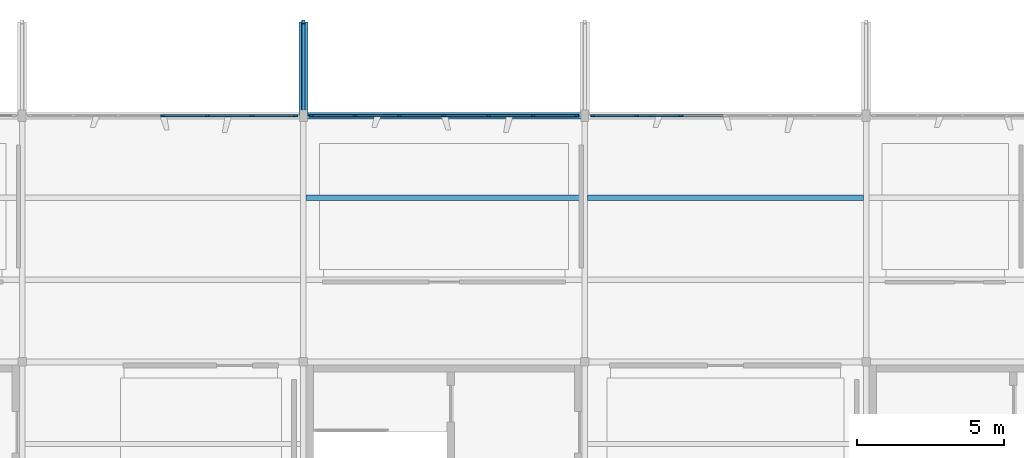
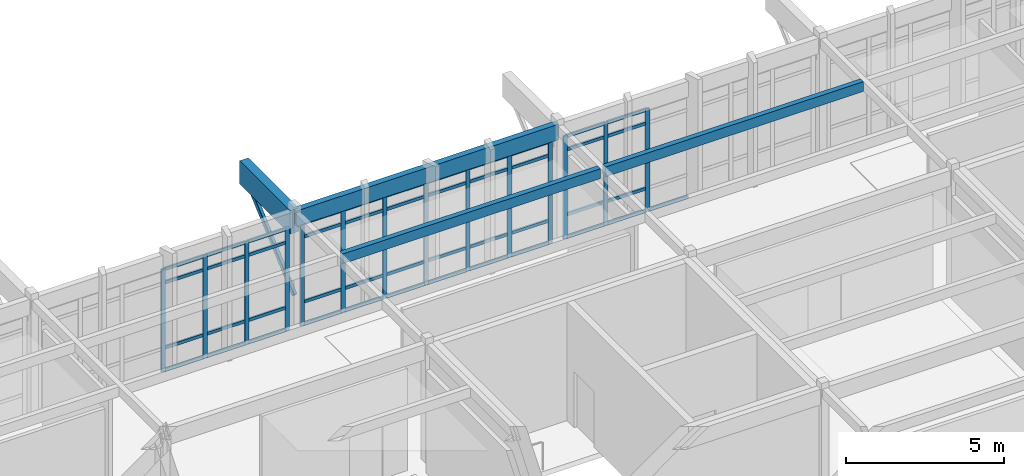
# One storey, part 9 of 19: 60 members, 4 beams, 3 elements without a shape of their own.
"""IFC4 building model written with IfcOpenShell, lengths in metres."""

from ifc_helpers import new_model, si_unit, direction, frame, origin, origin_2d, place, context, subcontext, project, spatial, rectangle, hollow_rectangle, extrude, material, layer, layer_set, material_profile, profile_set, type_object, element, aggregate, save


model = new_model("IFC4")

# Units and contexts
model_context = context("Model", 3, precision=1e-05, world=origin(), true_north=direction((0.0, 1.0)))
body_context = subcontext(model_context, "Body", "Model", "MODEL_VIEW")
ifc_project = project(units=[si_unit("LENGTHUNIT", "METRE"), si_unit("AREAUNIT", "SQUARE_METRE"), si_unit("VOLUMEUNIT", "CUBIC_METRE"), si_unit("PLANEANGLEUNIT", "RADIAN"), si_unit("MASSUNIT", "GRAM", prefix="KILO")], contexts=[model_context])

# Site, building, storey
site_placement = place(None, origin())
site = spatial("IfcSite", under=ifc_project, at=site_placement, CompositionType="ELEMENT")
building_placement = place(site_placement, origin())
building = spatial("IfcBuilding", under=site, at=building_placement, Name="Kolvemor Railside Polytechnic", CompositionType="ELEMENT")
storey_placement = place(building_placement, frame((0.0, 0.0, 27.0)))
storey = spatial("IfcBuildingStorey", under=building, at=storey_placement, Name="L06", CompositionType="ELEMENT", Elevation=27.0)

# Beams
ifc_material_1 = material(Name="Glulam GL28h", Category="wood")
ifc_material_profile_1 = material_profile(ifc_material_1, rectangle(XDim=0.31494140625, YDim=0.89990234375, at=origin_2d()), Name="GL315x900")
ifc_profile_set_1 = profile_set([ifc_material_profile_1], Name="Glulam GL28h")
beam_type_1 = type_object("IfcBeamType", Name="BM-GL-CANT", PredefinedType="BEAM", material=ifc_profile_set_1)
beam_1_placement = place(storey_placement, frame((86.39990234375, 38.39990234375, 4.114990234375), z_axis=(0.0, 1.0, 0.0), x_axis=(-1.0, 0.0, 0.0)))
element("IfcBeam", 1, at=beam_1_placement, inside=storey, type_object=beam_type_1, Name="Cantilever Outrigger RF-GYC 1779", PredefinedType="BEAM", context=body_context, shape_type="SweptSolid", body=[
    extrude(rectangle(XDim=0.31494140625, YDim=0.89990234375, at=origin_2d()), origin(), (0.0, 0.0, 1.0), 3.2001953125),
])
ifc_material_2 = material(Name="Glulam GL28h", Category="wood")
ifc_material_profile_2 = material_profile(ifc_material_2, rectangle(XDim=0.215087890625, YDim=0.60009765625, at=origin_2d()), Name="GL215x600")
ifc_profile_set_2 = profile_set([ifc_material_profile_2], Name="Glulam GL28h")
beam_type_2 = type_object("IfcBeamType", Name="BM-GL-EAVE", PredefinedType="BEAM", material=ifc_profile_set_2)
beam_2_placement = place(storey_placement, frame((86.39990234375, 38.39990234375, 4.264892578125), z_axis=(1.0, 0.0, 0.0), x_axis=(0.0, 1.0, 0.0)))
element("IfcBeam", 2, at=beam_2_placement, inside=storey, type_object=beam_type_2, Name="Primary Girder RF-GX 1757", PredefinedType="BEAM", context=body_context, shape_type="SweptSolid", body=[
    extrude(rectangle(XDim=0.215087890625, YDim=0.60009765625, at=origin_2d()), origin(), (0.0, 0.0, 1.0), 9.60009765625),
])
ifc_material_3 = material(Name="Glulam GL28h", Category="wood")
ifc_material_profile_3 = material_profile(ifc_material_3, rectangle(XDim=0.18505859375, YDim=0.3798828125, at=origin_2d()), Name="GL185x380")
ifc_profile_set_3 = profile_set([ifc_material_profile_3], Name="Glulam GL28h")
beam_type_3 = type_object("IfcBeamType", Name="BM-GL-JST6", PredefinedType="JOIST", material=ifc_profile_set_3)
for number, where, z_axis, x_axis, name in (
    (3, (86.491943359375, 35.60009765625, 4.375), (1.0, 0.0, 0.0), (0.0, 1.0, 0.0), "Floor Joist RF-J1815"),
    (4, (96.092041015625, 35.60009765625, 4.375), (1.0, 0.0, 0.0), (0.0, 1.0, 0.0), "Floor Joist RF-J1821"),
):
    element("IfcBeam", number, at=place(storey_placement, frame(where, z_axis=z_axis, x_axis=x_axis)), inside=storey, type_object=beam_type_3, Name=name, PredefinedType="JOIST", context=body_context, shape_type="SweptSolid", body=[
        extrude(rectangle(XDim=0.18505859375, YDim=0.3798828125, at=origin_2d()), origin(), (0.0, 0.0, 1.0), 9.416015625),
    ])

# Curtain wall, members
ifc_material_4 = material(Name="Anodised marine aluminium and laminated low-E glass", Category="aluminium")
ifc_layer = layer(ifc_material_4, 0.179931640625, Name="CW-STICK-LIB")
ifc_layer_set = layer_set([ifc_layer], Name="Anodised marine aluminium and laminated low-E glass")
curtain_wall_type = type_object("IfcCurtainWallType", Name="CW-STICK-LIB", PredefinedType="USERDEFINED", material=ifc_layer_set)
curtain_wall_1_placement = place(storey_placement, origin())
curtain_wall_1 = element("IfcCurtainWall", 5, at=curtain_wall_1_placement, inside=storey, type_object=curtain_wall_type, Name="Curtain Wall L06-143", ObjectType="STICK GLAZED SCREEN", PredefinedType="USERDEFINED")
ifc_material_5 = material(Name="Anodised marine aluminium 6063-T6", Category="aluminium")
ifc_material_profile_4 = material_profile(ifc_material_5, rectangle(XDim=0.06494140625, YDim=0.14990234375, at=origin_2d()), Name="CW-MUL-65x150")
ifc_profile_set_4 = profile_set([ifc_material_profile_4], Name="Anodised marine aluminium 6063-T6")
member_type_1 = type_object("IfcMemberType", Name="CWM-65x150", PredefinedType="MULLION", material=ifc_profile_set_4)
member_1_placement = place(storey_placement, frame((86.12744140625, 38.39990234375, 0.0), z_axis=(0.0, 0.0, 1.0), x_axis=(0.0, -1.0, 0.0)))
member_1 = element("IfcMember", 6, at=member_1_placement, type_object=member_type_1, Name="CW-LIB mullion 1", PredefinedType="MULLION", context=body_context, shape_type="SweptSolid", body=[
    extrude(rectangle(XDim=0.06494140625, YDim=0.14990234375, at=origin_2d()), origin(), (0.0, 0.0, 1.0), 3.965087890625),
])
member_2_placement = place(storey_placement, frame((84.639892578125, 38.39990234375, 0.0), z_axis=(0.0, 0.0, 1.0), x_axis=(0.0, -1.0, 0.0)))
member_2 = element("IfcMember", 7, at=member_2_placement, type_object=member_type_1, Name="CW-LIB mullion 2", PredefinedType="MULLION", context=body_context, shape_type="SweptSolid", body=[
    extrude(rectangle(XDim=0.06494140625, YDim=0.14990234375, at=origin_2d()), origin(), (0.0, 0.0, 1.0), 3.965087890625),
])
member_3_placement = place(storey_placement, frame((83.1201171875, 38.39990234375, 0.0), z_axis=(0.0, 0.0, 1.0), x_axis=(0.0, -1.0, 0.0)))
member_3 = element("IfcMember", 8, at=member_3_placement, type_object=member_type_1, Name="CW-LIB mullion 3", PredefinedType="MULLION", context=body_context, shape_type="SweptSolid", body=[
    extrude(rectangle(XDim=0.06494140625, YDim=0.14990234375, at=origin_2d()), origin(), (0.0, 0.0, 1.0), 3.965087890625),
])
member_4_placement = place(storey_placement, frame((81.60009765625, 38.39990234375, 0.0), z_axis=(0.0, 0.0, 1.0), x_axis=(0.0, -1.0, 0.0)))
member_4 = element("IfcMember", 9, at=member_4_placement, type_object=member_type_1, Name="CW-LIB mullion 4", PredefinedType="MULLION", context=body_context, shape_type="SweptSolid", body=[
    extrude(rectangle(XDim=0.06494140625, YDim=0.14990234375, at=origin_2d()), origin(), (0.0, 0.0, 1.0), 3.965087890625),
])

curtain_wall_2_placement = place(storey_placement, origin())
curtain_wall_2 = element("IfcCurtainWall", 10, at=curtain_wall_2_placement, inside=storey, type_object=curtain_wall_type, Name="Curtain Wall L06-145", ObjectType="STICK GLAZED SCREEN", PredefinedType="USERDEFINED")
member_5_placement = place(storey_placement, frame((95.7275390625, 38.39990234375, 0.0), z_axis=(0.0, 0.0, 1.0), x_axis=(0.0, -1.0, 0.0)))
member_5 = element("IfcMember", 11, at=member_5_placement, type_object=member_type_1, Name="CW-LIB mullion 1", PredefinedType="MULLION", context=body_context, shape_type="SweptSolid", body=[
    extrude(rectangle(XDim=0.06494140625, YDim=0.14990234375, at=origin_2d()), origin(), (0.0, 0.0, 1.0), 3.965087890625),
])
member_6_placement = place(storey_placement, frame((94.239990234375, 38.39990234375, 0.0), z_axis=(0.0, 0.0, 1.0), x_axis=(0.0, -1.0, 0.0)))
member_6 = element("IfcMember", 12, at=member_6_placement, type_object=member_type_1, Name="CW-LIB mullion 2", PredefinedType="MULLION", context=body_context, shape_type="SweptSolid", body=[
    extrude(rectangle(XDim=0.06494140625, YDim=0.14990234375, at=origin_2d()), origin(), (0.0, 0.0, 1.0), 3.965087890625),
])
member_7_placement = place(storey_placement, frame((92.719970703125, 38.39990234375, 0.0), z_axis=(0.0, 0.0, 1.0), x_axis=(0.0, -1.0, 0.0)))
member_7 = element("IfcMember", 13, at=member_7_placement, type_object=member_type_1, Name="CW-LIB mullion 3", PredefinedType="MULLION", context=body_context, shape_type="SweptSolid", body=[
    extrude(rectangle(XDim=0.06494140625, YDim=0.14990234375, at=origin_2d()), origin(), (0.0, 0.0, 1.0), 3.965087890625),
])
member_8_placement = place(storey_placement, frame((91.199951171875, 38.39990234375, 0.0), z_axis=(0.0, 0.0, 1.0), x_axis=(0.0, -1.0, 0.0)))
member_8 = element("IfcMember", 14, at=member_8_placement, type_object=member_type_1, Name="CW-LIB mullion 4", PredefinedType="MULLION", context=body_context, shape_type="SweptSolid", body=[
    extrude(rectangle(XDim=0.06494140625, YDim=0.14990234375, at=origin_2d()), origin(), (0.0, 0.0, 1.0), 3.965087890625),
])
member_9_placement = place(storey_placement, frame((89.679931640625, 38.39990234375, 0.0), z_axis=(0.0, 0.0, 1.0), x_axis=(0.0, -1.0, 0.0)))
member_9 = element("IfcMember", 15, at=member_9_placement, type_object=member_type_1, Name="CW-LIB mullion 5", PredefinedType="MULLION", context=body_context, shape_type="SweptSolid", body=[
    extrude(rectangle(XDim=0.06494140625, YDim=0.14990234375, at=origin_2d()), origin(), (0.0, 0.0, 1.0), 3.965087890625),
])
member_10_placement = place(storey_placement, frame((88.159912109375, 38.39990234375, 0.0), z_axis=(0.0, 0.0, 1.0), x_axis=(0.0, -1.0, 0.0)))
member_10 = element("IfcMember", 16, at=member_10_placement, type_object=member_type_1, Name="CW-LIB mullion 6", PredefinedType="MULLION", context=body_context, shape_type="SweptSolid", body=[
    extrude(rectangle(XDim=0.06494140625, YDim=0.14990234375, at=origin_2d()), origin(), (0.0, 0.0, 1.0), 3.965087890625),
])
member_11_placement = place(storey_placement, frame((86.672607421875, 38.39990234375, 0.0), z_axis=(0.0, 0.0, 1.0), x_axis=(0.0, -1.0, 0.0)))
member_11 = element("IfcMember", 17, at=member_11_placement, type_object=member_type_1, Name="CW-LIB mullion 7", PredefinedType="MULLION", context=body_context, shape_type="SweptSolid", body=[
    extrude(rectangle(XDim=0.06494140625, YDim=0.14990234375, at=origin_2d()), origin(), (0.0, 0.0, 1.0), 3.965087890625),
])

curtain_wall_3_placement = place(storey_placement, origin())
curtain_wall_3 = element("IfcCurtainWall", 18, at=curtain_wall_3_placement, inside=storey, type_object=curtain_wall_type, Name="Curtain Wall L06-146", ObjectType="STICK GLAZED SCREEN", PredefinedType="USERDEFINED")
member_12_placement = place(storey_placement, frame((99.280029296875, 38.39990234375, 0.0), z_axis=(0.0, 0.0, 1.0), x_axis=(0.0, -1.0, 0.0)))
member_12 = element("IfcMember", 19, at=member_12_placement, type_object=member_type_1, Name="CW-LIB mullion 5", PredefinedType="MULLION", context=body_context, shape_type="SweptSolid", body=[
    extrude(rectangle(XDim=0.06494140625, YDim=0.14990234375, at=origin_2d()), origin(), (0.0, 0.0, 1.0), 3.965087890625),
])
member_13_placement = place(storey_placement, frame((97.760009765625, 38.39990234375, 0.0), z_axis=(0.0, 0.0, 1.0), x_axis=(0.0, -1.0, 0.0)))
member_13 = element("IfcMember", 20, at=member_13_placement, type_object=member_type_1, Name="CW-LIB mullion 6", PredefinedType="MULLION", context=body_context, shape_type="SweptSolid", body=[
    extrude(rectangle(XDim=0.06494140625, YDim=0.14990234375, at=origin_2d()), origin(), (0.0, 0.0, 1.0), 3.965087890625),
])
member_14_placement = place(storey_placement, frame((96.2724609375, 38.39990234375, 0.0), z_axis=(0.0, 0.0, 1.0), x_axis=(0.0, -1.0, 0.0)))
member_14 = element("IfcMember", 21, at=member_14_placement, type_object=member_type_1, Name="CW-LIB mullion 7", PredefinedType="MULLION", context=body_context, shape_type="SweptSolid", body=[
    extrude(rectangle(XDim=0.06494140625, YDim=0.14990234375, at=origin_2d()), origin(), (0.0, 0.0, 1.0), 3.965087890625),
])

# Member
ifc_material_6 = material(Name="Anodised marine aluminium 6063-T6", Category="aluminium")
ifc_material_profile_5 = material_profile(ifc_material_6, rectangle(XDim=0.06494140625, YDim=0.1201171875, at=origin_2d()), Name="CW-TRN-65x120")
ifc_profile_set_5 = profile_set([ifc_material_profile_5], Name="Anodised marine aluminium 6063-T6")
member_type_2 = type_object("IfcMemberType", Name="CWT-65x120", PredefinedType="USERDEFINED", material=ifc_profile_set_5)
member_15_placement = place(storey_placement, frame((86.094970703125, 38.39990234375, 0.032470703125), z_axis=(-1.0, 0.0, 0.0), x_axis=(0.0, -1.0, 0.0)))
member_15 = element("IfcMember", 22, at=member_15_placement, type_object=member_type_2, Name="CW-LIB transom 1.1", ObjectType="TRANSOM", PredefinedType="USERDEFINED", context=body_context, shape_type="SweptSolid", body=[
    extrude(rectangle(XDim=0.06494140625, YDim=0.1201171875, at=origin_2d()), origin(), (0.0, 0.0, 1.0), 1.42236328125),
])

member_16_placement = place(storey_placement, frame((86.094970703125, 38.39990234375, 0.89990234375), z_axis=(-1.0, 0.0, 0.0), x_axis=(0.0, -1.0, 0.0)))
member_16 = element("IfcMember", 23, at=member_16_placement, type_object=member_type_2, Name="CW-LIB transom 1.2", ObjectType="TRANSOM", PredefinedType="USERDEFINED", context=body_context, shape_type="SweptSolid", body=[
    extrude(rectangle(XDim=0.06494140625, YDim=0.1201171875, at=origin_2d()), origin(), (0.0, 0.0, 1.0), 1.42236328125),
])

member_17_placement = place(storey_placement, frame((86.094970703125, 38.39990234375, 3.4150390625), z_axis=(-1.0, 0.0, 0.0), x_axis=(0.0, -1.0, 0.0)))
member_17 = element("IfcMember", 24, at=member_17_placement, type_object=member_type_2, Name="CW-LIB transom 1.3", ObjectType="TRANSOM", PredefinedType="USERDEFINED", context=body_context, shape_type="SweptSolid", body=[
    extrude(rectangle(XDim=0.06494140625, YDim=0.1201171875, at=origin_2d()), origin(), (0.0, 0.0, 1.0), 1.42236328125),
])

member_18_placement = place(storey_placement, frame((86.094970703125, 38.39990234375, 3.9326171875), z_axis=(-1.0, 0.0, 0.0), x_axis=(0.0, -1.0, 0.0)))
member_18 = element("IfcMember", 25, at=member_18_placement, type_object=member_type_2, Name="CW-LIB transom 1.4", ObjectType="TRANSOM", PredefinedType="USERDEFINED", context=body_context, shape_type="SweptSolid", body=[
    extrude(rectangle(XDim=0.06494140625, YDim=0.1201171875, at=origin_2d()), origin(), (0.0, 0.0, 1.0), 1.42236328125),
])

member_19_placement = place(storey_placement, frame((84.607421875, 38.39990234375, 0.032470703125), z_axis=(-1.0, 0.0, 0.0), x_axis=(0.0, -1.0, 0.0)))
member_19 = element("IfcMember", 26, at=member_19_placement, type_object=member_type_2, Name="CW-LIB transom 2.1", ObjectType="TRANSOM", PredefinedType="USERDEFINED", context=body_context, shape_type="SweptSolid", body=[
    extrude(rectangle(XDim=0.06494140625, YDim=0.1201171875, at=origin_2d()), origin(), (0.0, 0.0, 1.0), 1.454833984375),
])

member_20_placement = place(storey_placement, frame((84.607421875, 38.39990234375, 0.89990234375), z_axis=(-1.0, 0.0, 0.0), x_axis=(0.0, -1.0, 0.0)))
member_20 = element("IfcMember", 27, at=member_20_placement, type_object=member_type_2, Name="CW-LIB transom 2.2", ObjectType="TRANSOM", PredefinedType="USERDEFINED", context=body_context, shape_type="SweptSolid", body=[
    extrude(rectangle(XDim=0.06494140625, YDim=0.1201171875, at=origin_2d()), origin(), (0.0, 0.0, 1.0), 1.454833984375),
])

member_21_placement = place(storey_placement, frame((84.607421875, 38.39990234375, 3.4150390625), z_axis=(-1.0, 0.0, 0.0), x_axis=(0.0, -1.0, 0.0)))
member_21 = element("IfcMember", 28, at=member_21_placement, type_object=member_type_2, Name="CW-LIB transom 2.3", ObjectType="TRANSOM", PredefinedType="USERDEFINED", context=body_context, shape_type="SweptSolid", body=[
    extrude(rectangle(XDim=0.06494140625, YDim=0.1201171875, at=origin_2d()), origin(), (0.0, 0.0, 1.0), 1.454833984375),
])

member_22_placement = place(storey_placement, frame((84.607421875, 38.39990234375, 3.9326171875), z_axis=(-1.0, 0.0, 0.0), x_axis=(0.0, -1.0, 0.0)))
member_22 = element("IfcMember", 29, at=member_22_placement, type_object=member_type_2, Name="CW-LIB transom 2.4", ObjectType="TRANSOM", PredefinedType="USERDEFINED", context=body_context, shape_type="SweptSolid", body=[
    extrude(rectangle(XDim=0.06494140625, YDim=0.1201171875, at=origin_2d()), origin(), (0.0, 0.0, 1.0), 1.454833984375),
])

member_23_placement = place(storey_placement, frame((83.08740234375, 38.39990234375, 0.032470703125), z_axis=(-1.0, 0.0, 0.0), x_axis=(0.0, -1.0, 0.0)))
member_23 = element("IfcMember", 30, at=member_23_placement, type_object=member_type_2, Name="CW-LIB transom 3.1", ObjectType="TRANSOM", PredefinedType="USERDEFINED", context=body_context, shape_type="SweptSolid", body=[
    extrude(rectangle(XDim=0.06494140625, YDim=0.1201171875, at=origin_2d()), origin(), (0.0, 0.0, 1.0), 1.454833984375),
])

member_24_placement = place(storey_placement, frame((83.08740234375, 38.39990234375, 0.89990234375), z_axis=(-1.0, 0.0, 0.0), x_axis=(0.0, -1.0, 0.0)))
member_24 = element("IfcMember", 31, at=member_24_placement, type_object=member_type_2, Name="CW-LIB transom 3.2", ObjectType="TRANSOM", PredefinedType="USERDEFINED", context=body_context, shape_type="SweptSolid", body=[
    extrude(rectangle(XDim=0.06494140625, YDim=0.1201171875, at=origin_2d()), origin(), (0.0, 0.0, 1.0), 1.454833984375),
])

member_25_placement = place(storey_placement, frame((83.08740234375, 38.39990234375, 3.4150390625), z_axis=(-1.0, 0.0, 0.0), x_axis=(0.0, -1.0, 0.0)))
member_25 = element("IfcMember", 32, at=member_25_placement, type_object=member_type_2, Name="CW-LIB transom 3.3", ObjectType="TRANSOM", PredefinedType="USERDEFINED", context=body_context, shape_type="SweptSolid", body=[
    extrude(rectangle(XDim=0.06494140625, YDim=0.1201171875, at=origin_2d()), origin(), (0.0, 0.0, 1.0), 1.454833984375),
])

member_26_placement = place(storey_placement, frame((83.08740234375, 38.39990234375, 3.9326171875), z_axis=(-1.0, 0.0, 0.0), x_axis=(0.0, -1.0, 0.0)))
member_26 = element("IfcMember", 33, at=member_26_placement, type_object=member_type_2, Name="CW-LIB transom 3.4", ObjectType="TRANSOM", PredefinedType="USERDEFINED", context=body_context, shape_type="SweptSolid", body=[
    extrude(rectangle(XDim=0.06494140625, YDim=0.1201171875, at=origin_2d()), origin(), (0.0, 0.0, 1.0), 1.454833984375),
])

aggregate(curtain_wall_1, [member_1, member_2, member_3, member_4, member_15, member_16, member_17, member_18, member_19, member_20, member_21, member_22, member_23, member_24, member_25, member_26])

member_27_placement = place(storey_placement, frame((95.695068359375, 38.39990234375, 0.032470703125), z_axis=(-1.0, 0.0, 0.0), x_axis=(0.0, -1.0, 0.0)))
member_27 = element("IfcMember", 34, at=member_27_placement, type_object=member_type_2, Name="CW-LIB transom 1.1", ObjectType="TRANSOM", PredefinedType="USERDEFINED", context=body_context, shape_type="SweptSolid", body=[
    extrude(rectangle(XDim=0.06494140625, YDim=0.1201171875, at=origin_2d()), origin(), (0.0, 0.0, 1.0), 1.422607421875),
])

member_28_placement = place(storey_placement, frame((95.695068359375, 38.39990234375, 0.89990234375), z_axis=(-1.0, 0.0, 0.0), x_axis=(0.0, -1.0, 0.0)))
member_28 = element("IfcMember", 35, at=member_28_placement, type_object=member_type_2, Name="CW-LIB transom 1.2", ObjectType="TRANSOM", PredefinedType="USERDEFINED", context=body_context, shape_type="SweptSolid", body=[
    extrude(rectangle(XDim=0.06494140625, YDim=0.1201171875, at=origin_2d()), origin(), (0.0, 0.0, 1.0), 1.422607421875),
])

member_29_placement = place(storey_placement, frame((95.695068359375, 38.39990234375, 3.4150390625), z_axis=(-1.0, 0.0, 0.0), x_axis=(0.0, -1.0, 0.0)))
member_29 = element("IfcMember", 36, at=member_29_placement, type_object=member_type_2, Name="CW-LIB transom 1.3", ObjectType="TRANSOM", PredefinedType="USERDEFINED", context=body_context, shape_type="SweptSolid", body=[
    extrude(rectangle(XDim=0.06494140625, YDim=0.1201171875, at=origin_2d()), origin(), (0.0, 0.0, 1.0), 1.422607421875),
])

member_30_placement = place(storey_placement, frame((95.695068359375, 38.39990234375, 3.9326171875), z_axis=(-1.0, 0.0, 0.0), x_axis=(0.0, -1.0, 0.0)))
member_30 = element("IfcMember", 37, at=member_30_placement, type_object=member_type_2, Name="CW-LIB transom 1.4", ObjectType="TRANSOM", PredefinedType="USERDEFINED", context=body_context, shape_type="SweptSolid", body=[
    extrude(rectangle(XDim=0.06494140625, YDim=0.1201171875, at=origin_2d()), origin(), (0.0, 0.0, 1.0), 1.422607421875),
])

member_31_placement = place(storey_placement, frame((94.20751953125, 38.39990234375, 0.032470703125), z_axis=(-1.0, 0.0, 0.0), x_axis=(0.0, -1.0, 0.0)))
member_31 = element("IfcMember", 38, at=member_31_placement, type_object=member_type_2, Name="CW-LIB transom 2.1", ObjectType="TRANSOM", PredefinedType="USERDEFINED", context=body_context, shape_type="SweptSolid", body=[
    extrude(rectangle(XDim=0.06494140625, YDim=0.1201171875, at=origin_2d()), origin(), (0.0, 0.0, 1.0), 1.455078125),
])

member_32_placement = place(storey_placement, frame((94.20751953125, 38.39990234375, 0.89990234375), z_axis=(-1.0, 0.0, 0.0), x_axis=(0.0, -1.0, 0.0)))
member_32 = element("IfcMember", 39, at=member_32_placement, type_object=member_type_2, Name="CW-LIB transom 2.2", ObjectType="TRANSOM", PredefinedType="USERDEFINED", context=body_context, shape_type="SweptSolid", body=[
    extrude(rectangle(XDim=0.06494140625, YDim=0.1201171875, at=origin_2d()), origin(), (0.0, 0.0, 1.0), 1.455078125),
])

member_33_placement = place(storey_placement, frame((94.20751953125, 38.39990234375, 3.4150390625), z_axis=(-1.0, 0.0, 0.0), x_axis=(0.0, -1.0, 0.0)))
member_33 = element("IfcMember", 40, at=member_33_placement, type_object=member_type_2, Name="CW-LIB transom 2.3", ObjectType="TRANSOM", PredefinedType="USERDEFINED", context=body_context, shape_type="SweptSolid", body=[
    extrude(rectangle(XDim=0.06494140625, YDim=0.1201171875, at=origin_2d()), origin(), (0.0, 0.0, 1.0), 1.455078125),
])

member_34_placement = place(storey_placement, frame((94.20751953125, 38.39990234375, 3.9326171875), z_axis=(-1.0, 0.0, 0.0), x_axis=(0.0, -1.0, 0.0)))
member_34 = element("IfcMember", 41, at=member_34_placement, type_object=member_type_2, Name="CW-LIB transom 2.4", ObjectType="TRANSOM", PredefinedType="USERDEFINED", context=body_context, shape_type="SweptSolid", body=[
    extrude(rectangle(XDim=0.06494140625, YDim=0.1201171875, at=origin_2d()), origin(), (0.0, 0.0, 1.0), 1.455078125),
])

member_35_placement = place(storey_placement, frame((92.6875, 38.39990234375, 0.032470703125), z_axis=(-1.0, 0.0, 0.0), x_axis=(0.0, -1.0, 0.0)))
member_35 = element("IfcMember", 42, at=member_35_placement, type_object=member_type_2, Name="CW-LIB transom 3.1", ObjectType="TRANSOM", PredefinedType="USERDEFINED", context=body_context, shape_type="SweptSolid", body=[
    extrude(rectangle(XDim=0.06494140625, YDim=0.1201171875, at=origin_2d()), origin(), (0.0, 0.0, 1.0), 1.455078125),
])

member_36_placement = place(storey_placement, frame((92.6875, 38.39990234375, 0.89990234375), z_axis=(-1.0, 0.0, 0.0), x_axis=(0.0, -1.0, 0.0)))
member_36 = element("IfcMember", 43, at=member_36_placement, type_object=member_type_2, Name="CW-LIB transom 3.2", ObjectType="TRANSOM", PredefinedType="USERDEFINED", context=body_context, shape_type="SweptSolid", body=[
    extrude(rectangle(XDim=0.06494140625, YDim=0.1201171875, at=origin_2d()), origin(), (0.0, 0.0, 1.0), 1.455078125),
])

member_37_placement = place(storey_placement, frame((92.6875, 38.39990234375, 3.4150390625), z_axis=(-1.0, 0.0, 0.0), x_axis=(0.0, -1.0, 0.0)))
member_37 = element("IfcMember", 44, at=member_37_placement, type_object=member_type_2, Name="CW-LIB transom 3.3", ObjectType="TRANSOM", PredefinedType="USERDEFINED", context=body_context, shape_type="SweptSolid", body=[
    extrude(rectangle(XDim=0.06494140625, YDim=0.1201171875, at=origin_2d()), origin(), (0.0, 0.0, 1.0), 1.455078125),
])

member_38_placement = place(storey_placement, frame((92.6875, 38.39990234375, 3.9326171875), z_axis=(-1.0, 0.0, 0.0), x_axis=(0.0, -1.0, 0.0)))
member_38 = element("IfcMember", 45, at=member_38_placement, type_object=member_type_2, Name="CW-LIB transom 3.4", ObjectType="TRANSOM", PredefinedType="USERDEFINED", context=body_context, shape_type="SweptSolid", body=[
    extrude(rectangle(XDim=0.06494140625, YDim=0.1201171875, at=origin_2d()), origin(), (0.0, 0.0, 1.0), 1.455078125),
])

member_39_placement = place(storey_placement, frame((91.16748046875, 38.39990234375, 0.032470703125), z_axis=(-1.0, 0.0, 0.0), x_axis=(0.0, -1.0, 0.0)))
member_39 = element("IfcMember", 46, at=member_39_placement, type_object=member_type_2, Name="CW-LIB transom 4.1", ObjectType="TRANSOM", PredefinedType="USERDEFINED", context=body_context, shape_type="SweptSolid", body=[
    extrude(rectangle(XDim=0.06494140625, YDim=0.1201171875, at=origin_2d()), origin(), (0.0, 0.0, 1.0), 1.455078125),
])

member_40_placement = place(storey_placement, frame((91.16748046875, 38.39990234375, 0.89990234375), z_axis=(-1.0, 0.0, 0.0), x_axis=(0.0, -1.0, 0.0)))
member_40 = element("IfcMember", 47, at=member_40_placement, type_object=member_type_2, Name="CW-LIB transom 4.2", ObjectType="TRANSOM", PredefinedType="USERDEFINED", context=body_context, shape_type="SweptSolid", body=[
    extrude(rectangle(XDim=0.06494140625, YDim=0.1201171875, at=origin_2d()), origin(), (0.0, 0.0, 1.0), 1.455078125),
])

member_41_placement = place(storey_placement, frame((91.16748046875, 38.39990234375, 3.4150390625), z_axis=(-1.0, 0.0, 0.0), x_axis=(0.0, -1.0, 0.0)))
member_41 = element("IfcMember", 48, at=member_41_placement, type_object=member_type_2, Name="CW-LIB transom 4.3", ObjectType="TRANSOM", PredefinedType="USERDEFINED", context=body_context, shape_type="SweptSolid", body=[
    extrude(rectangle(XDim=0.06494140625, YDim=0.1201171875, at=origin_2d()), origin(), (0.0, 0.0, 1.0), 1.455078125),
])

member_42_placement = place(storey_placement, frame((91.16748046875, 38.39990234375, 3.9326171875), z_axis=(-1.0, 0.0, 0.0), x_axis=(0.0, -1.0, 0.0)))
member_42 = element("IfcMember", 49, at=member_42_placement, type_object=member_type_2, Name="CW-LIB transom 4.4", ObjectType="TRANSOM", PredefinedType="USERDEFINED", context=body_context, shape_type="SweptSolid", body=[
    extrude(rectangle(XDim=0.06494140625, YDim=0.1201171875, at=origin_2d()), origin(), (0.0, 0.0, 1.0), 1.455078125),
])

member_43_placement = place(storey_placement, frame((89.6474609375, 38.39990234375, 0.032470703125), z_axis=(-1.0, 0.0, 0.0), x_axis=(0.0, -1.0, 0.0)))
member_43 = element("IfcMember", 50, at=member_43_placement, type_object=member_type_2, Name="CW-LIB transom 5.1", ObjectType="TRANSOM", PredefinedType="USERDEFINED", context=body_context, shape_type="SweptSolid", body=[
    extrude(rectangle(XDim=0.06494140625, YDim=0.1201171875, at=origin_2d()), origin(), (0.0, 0.0, 1.0), 1.455078125),
])

member_44_placement = place(storey_placement, frame((89.6474609375, 38.39990234375, 0.89990234375), z_axis=(-1.0, 0.0, 0.0), x_axis=(0.0, -1.0, 0.0)))
member_44 = element("IfcMember", 51, at=member_44_placement, type_object=member_type_2, Name="CW-LIB transom 5.2", ObjectType="TRANSOM", PredefinedType="USERDEFINED", context=body_context, shape_type="SweptSolid", body=[
    extrude(rectangle(XDim=0.06494140625, YDim=0.1201171875, at=origin_2d()), origin(), (0.0, 0.0, 1.0), 1.455078125),
])

member_45_placement = place(storey_placement, frame((89.6474609375, 38.39990234375, 3.4150390625), z_axis=(-1.0, 0.0, 0.0), x_axis=(0.0, -1.0, 0.0)))
member_45 = element("IfcMember", 52, at=member_45_placement, type_object=member_type_2, Name="CW-LIB transom 5.3", ObjectType="TRANSOM", PredefinedType="USERDEFINED", context=body_context, shape_type="SweptSolid", body=[
    extrude(rectangle(XDim=0.06494140625, YDim=0.1201171875, at=origin_2d()), origin(), (0.0, 0.0, 1.0), 1.455078125),
])

member_46_placement = place(storey_placement, frame((89.6474609375, 38.39990234375, 3.9326171875), z_axis=(-1.0, 0.0, 0.0), x_axis=(0.0, -1.0, 0.0)))
member_46 = element("IfcMember", 53, at=member_46_placement, type_object=member_type_2, Name="CW-LIB transom 5.4", ObjectType="TRANSOM", PredefinedType="USERDEFINED", context=body_context, shape_type="SweptSolid", body=[
    extrude(rectangle(XDim=0.06494140625, YDim=0.1201171875, at=origin_2d()), origin(), (0.0, 0.0, 1.0), 1.455078125),
])

member_47_placement = place(storey_placement, frame((88.12744140625, 38.39990234375, 0.032470703125), z_axis=(-1.0, 0.0, 0.0), x_axis=(0.0, -1.0, 0.0)))
member_47 = element("IfcMember", 54, at=member_47_placement, type_object=member_type_2, Name="CW-LIB transom 6.1", ObjectType="TRANSOM", PredefinedType="USERDEFINED", context=body_context, shape_type="SweptSolid", body=[
    extrude(rectangle(XDim=0.06494140625, YDim=0.1201171875, at=origin_2d()), origin(), (0.0, 0.0, 1.0), 1.42236328125),
])

member_48_placement = place(storey_placement, frame((88.12744140625, 38.39990234375, 0.89990234375), z_axis=(-1.0, 0.0, 0.0), x_axis=(0.0, -1.0, 0.0)))
member_48 = element("IfcMember", 55, at=member_48_placement, type_object=member_type_2, Name="CW-LIB transom 6.2", ObjectType="TRANSOM", PredefinedType="USERDEFINED", context=body_context, shape_type="SweptSolid", body=[
    extrude(rectangle(XDim=0.06494140625, YDim=0.1201171875, at=origin_2d()), origin(), (0.0, 0.0, 1.0), 1.42236328125),
])

member_49_placement = place(storey_placement, frame((88.12744140625, 38.39990234375, 3.4150390625), z_axis=(-1.0, 0.0, 0.0), x_axis=(0.0, -1.0, 0.0)))
member_49 = element("IfcMember", 56, at=member_49_placement, type_object=member_type_2, Name="CW-LIB transom 6.3", ObjectType="TRANSOM", PredefinedType="USERDEFINED", context=body_context, shape_type="SweptSolid", body=[
    extrude(rectangle(XDim=0.06494140625, YDim=0.1201171875, at=origin_2d()), origin(), (0.0, 0.0, 1.0), 1.42236328125),
])

member_50_placement = place(storey_placement, frame((88.12744140625, 38.39990234375, 3.9326171875), z_axis=(-1.0, 0.0, 0.0), x_axis=(0.0, -1.0, 0.0)))
member_50 = element("IfcMember", 57, at=member_50_placement, type_object=member_type_2, Name="CW-LIB transom 6.4", ObjectType="TRANSOM", PredefinedType="USERDEFINED", context=body_context, shape_type="SweptSolid", body=[
    extrude(rectangle(XDim=0.06494140625, YDim=0.1201171875, at=origin_2d()), origin(), (0.0, 0.0, 1.0), 1.42236328125),
])

aggregate(curtain_wall_2, [member_5, member_6, member_7, member_8, member_9, member_10, member_11, member_27, member_28, member_29, member_30, member_31, member_32, member_33, member_34, member_35, member_36, member_37, member_38, member_39, member_40, member_41, member_42, member_43, member_44, member_45, member_46, member_47, member_48, member_49, member_50])

member_51_placement = place(storey_placement, frame((100.767578125, 38.39990234375, 0.032470703125), z_axis=(-1.0, 0.0, 0.0), x_axis=(0.0, -1.0, 0.0)))
member_51 = element("IfcMember", 58, at=member_51_placement, type_object=member_type_2, Name="CW-LIB transom 4.1", ObjectType="TRANSOM", PredefinedType="USERDEFINED", context=body_context, shape_type="SweptSolid", body=[
    extrude(rectangle(XDim=0.06494140625, YDim=0.1201171875, at=origin_2d()), origin(), (0.0, 0.0, 1.0), 1.455078125),
])

member_52_placement = place(storey_placement, frame((99.24755859375, 38.39990234375, 0.032470703125), z_axis=(-1.0, 0.0, 0.0), x_axis=(0.0, -1.0, 0.0)))
member_52 = element("IfcMember", 59, at=member_52_placement, type_object=member_type_2, Name="CW-LIB transom 5.1", ObjectType="TRANSOM", PredefinedType="USERDEFINED", context=body_context, shape_type="SweptSolid", body=[
    extrude(rectangle(XDim=0.06494140625, YDim=0.1201171875, at=origin_2d()), origin(), (0.0, 0.0, 1.0), 1.455078125),
])

member_53_placement = place(storey_placement, frame((99.24755859375, 38.39990234375, 0.89990234375), z_axis=(-1.0, 0.0, 0.0), x_axis=(0.0, -1.0, 0.0)))
member_53 = element("IfcMember", 60, at=member_53_placement, type_object=member_type_2, Name="CW-LIB transom 5.2", ObjectType="TRANSOM", PredefinedType="USERDEFINED", context=body_context, shape_type="SweptSolid", body=[
    extrude(rectangle(XDim=0.06494140625, YDim=0.1201171875, at=origin_2d()), origin(), (0.0, 0.0, 1.0), 1.455078125),
])

member_54_placement = place(storey_placement, frame((99.24755859375, 38.39990234375, 3.4150390625), z_axis=(-1.0, 0.0, 0.0), x_axis=(0.0, -1.0, 0.0)))
member_54 = element("IfcMember", 61, at=member_54_placement, type_object=member_type_2, Name="CW-LIB transom 5.3", ObjectType="TRANSOM", PredefinedType="USERDEFINED", context=body_context, shape_type="SweptSolid", body=[
    extrude(rectangle(XDim=0.06494140625, YDim=0.1201171875, at=origin_2d()), origin(), (0.0, 0.0, 1.0), 1.455078125),
])

member_55_placement = place(storey_placement, frame((99.24755859375, 38.39990234375, 3.9326171875), z_axis=(-1.0, 0.0, 0.0), x_axis=(0.0, -1.0, 0.0)))
member_55 = element("IfcMember", 62, at=member_55_placement, type_object=member_type_2, Name="CW-LIB transom 5.4", ObjectType="TRANSOM", PredefinedType="USERDEFINED", context=body_context, shape_type="SweptSolid", body=[
    extrude(rectangle(XDim=0.06494140625, YDim=0.1201171875, at=origin_2d()), origin(), (0.0, 0.0, 1.0), 1.455078125),
])

member_56_placement = place(storey_placement, frame((97.7275390625, 38.39990234375, 0.032470703125), z_axis=(-1.0, 0.0, 0.0), x_axis=(0.0, -1.0, 0.0)))
member_56 = element("IfcMember", 63, at=member_56_placement, type_object=member_type_2, Name="CW-LIB transom 6.1", ObjectType="TRANSOM", PredefinedType="USERDEFINED", context=body_context, shape_type="SweptSolid", body=[
    extrude(rectangle(XDim=0.06494140625, YDim=0.1201171875, at=origin_2d()), origin(), (0.0, 0.0, 1.0), 1.422607421875),
])

member_57_placement = place(storey_placement, frame((97.7275390625, 38.39990234375, 0.89990234375), z_axis=(-1.0, 0.0, 0.0), x_axis=(0.0, -1.0, 0.0)))
member_57 = element("IfcMember", 64, at=member_57_placement, type_object=member_type_2, Name="CW-LIB transom 6.2", ObjectType="TRANSOM", PredefinedType="USERDEFINED", context=body_context, shape_type="SweptSolid", body=[
    extrude(rectangle(XDim=0.06494140625, YDim=0.1201171875, at=origin_2d()), origin(), (0.0, 0.0, 1.0), 1.422607421875),
])

member_58_placement = place(storey_placement, frame((97.7275390625, 38.39990234375, 3.4150390625), z_axis=(-1.0, 0.0, 0.0), x_axis=(0.0, -1.0, 0.0)))
member_58 = element("IfcMember", 65, at=member_58_placement, type_object=member_type_2, Name="CW-LIB transom 6.3", ObjectType="TRANSOM", PredefinedType="USERDEFINED", context=body_context, shape_type="SweptSolid", body=[
    extrude(rectangle(XDim=0.06494140625, YDim=0.1201171875, at=origin_2d()), origin(), (0.0, 0.0, 1.0), 1.422607421875),
])

member_59_placement = place(storey_placement, frame((97.7275390625, 38.39990234375, 3.9326171875), z_axis=(-1.0, 0.0, 0.0), x_axis=(0.0, -1.0, 0.0)))
member_59 = element("IfcMember", 66, at=member_59_placement, type_object=member_type_2, Name="CW-LIB transom 6.4", ObjectType="TRANSOM", PredefinedType="USERDEFINED", context=body_context, shape_type="SweptSolid", body=[
    extrude(rectangle(XDim=0.06494140625, YDim=0.1201171875, at=origin_2d()), origin(), (0.0, 0.0, 1.0), 1.422607421875),
])

aggregate(curtain_wall_3, [member_12, member_13, member_14, member_51, member_52, member_53, member_54, member_55, member_56, member_57, member_58, member_59])

ifc_material_7 = material(Name="Steel S355", Category="steel")
ifc_material_profile_6 = material_profile(ifc_material_7, hollow_rectangle(XDim=0.1201171875, YDim=0.199951171875, WallThickness=0.008056640625, InnerFilletRadius=0.008056640625, OuterFilletRadius=0.01611328125, at=origin_2d()), Name="HSS200x120x8")
ifc_profile_set_6 = profile_set([ifc_material_profile_6], Name="Steel S355")
member_type_3 = type_object("IfcMemberType", Name="MEM-BR-HSS2", PredefinedType="BRACE", material=ifc_profile_set_6)
member_60_placement = place(storey_placement, frame((86.39990234375, 38.39990234375, 1.264892578125), z_axis=(0.0, 0.746774046934, 0.665077832156), x_axis=(-1.0, 0.0, 0.0)))
element("IfcMember", 67, at=member_60_placement, inside=storey, type_object=member_type_3, Name="Overhang Knee Strut RF-KN1780", PredefinedType="BRACE", context=body_context, shape_type="SweptSolid", body=[
    extrude(hollow_rectangle(XDim=0.1201171875, YDim=0.199951171875, WallThickness=0.008056640625, InnerFilletRadius=0.008056640625, OuterFilletRadius=0.01611328125, at=origin_2d()), origin(), (0.0, 0.0, 1.0), 4.285400390625),
])

save(model, "model.ifc")
